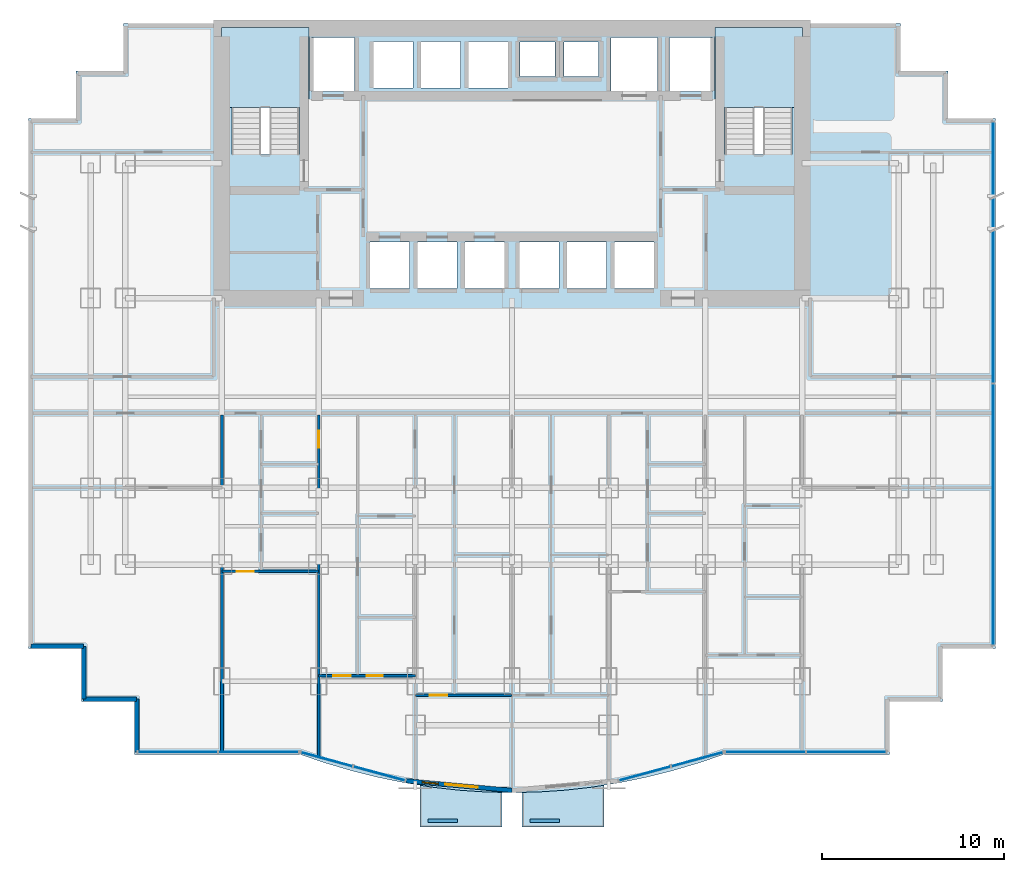
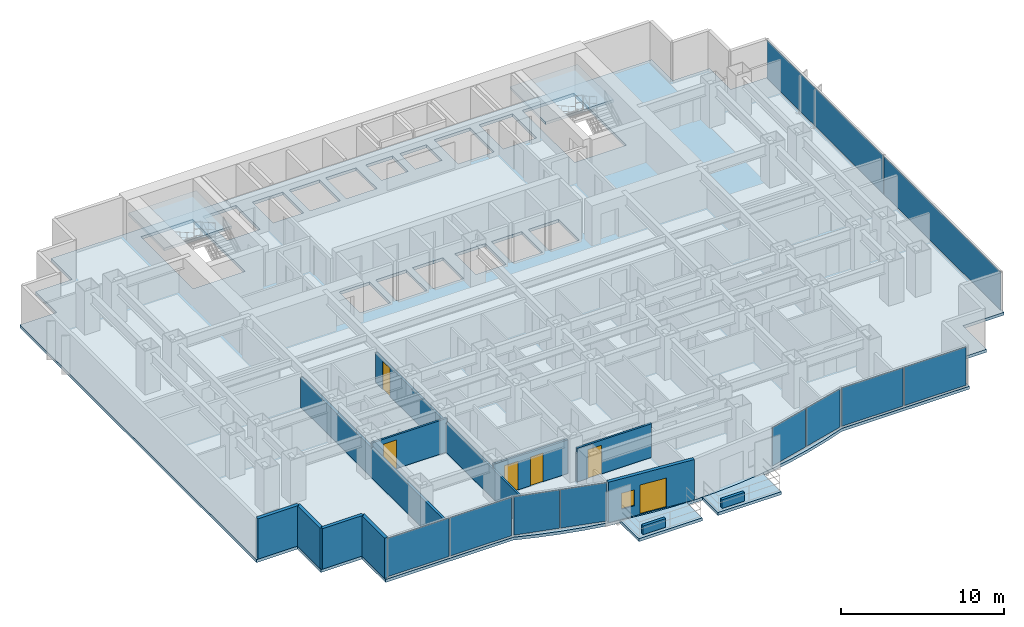
# One storey, part 6 of 12: 12 walls, 10 plates, 6 doors, 5 slabs, 1 window, 7 openings, 7 elements without a shape of their own.
"""IFC4 building model written with IfcOpenShell, lengths in metres."""

from ifc_helpers import new_model, si_unit, direction, frame, frame_2d, origin, origin_2d, place, context, subcontext, project, spatial, polyline, rectangle, outline, extrude, source, transform, mapped, material, layer, layer_set, type_object, element, fill, aggregate, save


model = new_model("IFC4")

# Units and contexts
model_context = context("Model", 3, precision=1e-05, world=origin(), true_north=direction((0.0, 1.0)))
body_context = subcontext(model_context, "Body", "Model", "MODEL_VIEW")
ifc_project = project(units=[si_unit("LENGTHUNIT", "METRE"), si_unit("AREAUNIT", "SQUARE_METRE"), si_unit("VOLUMEUNIT", "CUBIC_METRE"), si_unit("PLANEANGLEUNIT", "RADIAN"), si_unit("MASSUNIT", "GRAM", prefix="KILO")], contexts=[model_context])

# Site, building, storey
site_placement = place(None, origin())
site = spatial("IfcSite", under=ifc_project, at=site_placement, CompositionType="ELEMENT")
building_placement = place(site_placement, origin())
building = spatial("IfcBuilding", under=site, at=building_placement, Name="Qianlan Lanfeng Residences", CompositionType="ELEMENT")
storey_placement = place(building_placement, frame((0.0, 0.0, 67.10009765625)))
storey = spatial("IfcBuildingStorey", under=building, at=storey_placement, Name="L18", CompositionType="ELEMENT", Elevation=67.10009765625)

# Slabs
ifc_material_1 = material(Name="Concrete C42", Category="concrete")
ifc_layer_1 = layer(ifc_material_1, 0.219970703125)
ifc_layer_set_1 = layer_set([ifc_layer_1], Name="Concrete C42")
slab_type_1 = type_object("IfcSlabType", Name="S-BAL-220", PredefinedType="FLOOR", material=ifc_layer_set_1)
slab_1_placement = place(storey_placement, frame((0.0, 0.0, -0.22021484375)))
element("IfcSlab", 1, at=slab_1_placement, inside=storey, type_object=slab_type_1, Name="L18 Planted Tree Balcony Slab SB-W", PredefinedType="FLOOR", context=body_context, shape_type="SweptSolid", body=[
    extrude(outline(polyline([(25.949951171875, -1.887939453125), (25.0439453125, -1.866943359375), (23.5869140625, -1.76904296875), (22.131103515625, -1.60498046875), (21.449951171875, -1.4970703125), (21.449951171875, -3.800048828125), (25.949951171875, -3.800048828125), (25.949951171875, -1.887939453125)])), origin(), (0.0, 0.0, 1.0), 0.22021484375),
])
slab_2_placement = place(storey_placement, frame((0.0, 0.0, -0.22021484375)))
element("IfcSlab", 2, at=slab_2_placement, inside=storey, type_object=slab_type_1, Name="L18 Planted Tree Balcony Slab SB-E", PredefinedType="FLOOR", context=body_context, shape_type="SweptSolid", body=[
    extrude(outline(polyline([(31.550048828125, -1.4970703125), (30.868896484375, -1.60498046875), (29.412109375, -1.76904296875), (27.9560546875, -1.866943359375), (27.050048828125, -1.887939453125), (27.050048828125, -3.800048828125), (31.550048828125, -3.800048828125), (31.550048828125, -1.4970703125)])), origin(), (0.0, 0.0, 1.0), 0.22021484375),
])
ifc_layer_2 = layer(ifc_material_1, 0.219970703125)
ifc_layer_set_2 = layer_set([ifc_layer_2], Name="Concrete C42")
slab_type_2 = type_object("IfcSlabType", Name="S-FL-220", PredefinedType="FLOOR", material=ifc_layer_set_2)
slab_3_placement = place(storey_placement, frame((0.0, 0.0, -0.22021484375)))
element("IfcSlab", 3, at=slab_3_placement, inside=storey, type_object=slab_type_2, Name="L18 Structural Floor Slab", PredefinedType="FLOOR", context=body_context, shape_type="SweptSolid", body=[
    extrude(outline(polyline([(0.0, 6.0), (2.89990234375, 6.0), (2.89990234375, 3.10009765625), (5.800048828125, 3.10009765625), (5.800048828125, 0.199951171875), (14.85009765625, 0.199951171875), (16.305908203125, -0.2919921875), (17.761962890625, -0.718994140625), (19.218994140625, -1.080078125), (20.675048828125, -1.375), (22.131103515625, -1.60498046875), (23.5869140625, -1.76904296875), (25.0439453125, -1.866943359375), (26.5, -1.89990234375), (27.9560546875, -1.866943359375), (29.412109375, -1.76904296875), (30.868896484375, -1.60498046875), (32.324951171875, -1.375), (33.781005859375, -1.080078125), (35.237060546875, -0.718994140625), (36.694091796875, -0.2919921875), (38.14990234375, 0.199951171875), (47.199951171875, 0.199951171875), (47.199951171875, 3.10009765625), (50.10009765625, 3.10009765625), (50.10009765625, 6.0), (53.0, 6.0), (53.0, 35.050048828125), (50.39990234375, 35.050048828125), (50.39990234375, 37.64990234375), (47.800048828125, 37.64990234375), (47.800048828125, 40.25), (5.199951171875, 40.25), (5.199951171875, 37.64990234375), (2.60009765625, 37.64990234375), (2.60009765625, 35.050048828125), (0.0, 35.050048828125), (0.0, 6.0)]), holes=[polyline([(11.139892578125, 33.080078125), (11.139892578125, 39.5), (14.820068359375, 39.5), (14.820068359375, 33.080078125), (11.139892578125, 33.080078125)]), polyline([(38.179931640625, 33.080078125), (38.179931640625, 39.5), (41.860107421875, 39.5), (41.860107421875, 33.080078125), (38.179931640625, 33.080078125)]), polyline([(15.52001953125, 36.52001953125), (15.52001953125, 39.47998046875), (17.8798828125, 39.47998046875), (17.8798828125, 36.52001953125), (15.52001953125, 36.52001953125)]), polyline([(35.1201171875, 36.52001953125), (35.1201171875, 39.47998046875), (37.47998046875, 39.47998046875), (37.47998046875, 36.52001953125), (35.1201171875, 36.52001953125)]), polyline([(31.919921875, 36.52001953125), (31.919921875, 39.47998046875), (34.47998046875, 39.47998046875), (34.47998046875, 36.52001953125), (31.919921875, 36.52001953125)]), polyline([(18.719970703125, 25.719970703125), (18.719970703125, 28.280029296875), (20.8798828125, 28.280029296875), (20.8798828125, 25.719970703125), (18.719970703125, 25.719970703125)]), polyline([(21.320068359375, 25.719970703125), (21.320068359375, 28.280029296875), (23.47998046875, 28.280029296875), (23.47998046875, 25.719970703125), (21.320068359375, 25.719970703125)]), polyline([(23.919921875, 25.719970703125), (23.919921875, 28.280029296875), (26.080078125, 28.280029296875), (26.080078125, 25.719970703125), (23.919921875, 25.719970703125)]), polyline([(26.919921875, 25.719970703125), (26.919921875, 28.280029296875), (29.080078125, 28.280029296875), (29.080078125, 25.719970703125), (26.919921875, 25.719970703125)]), polyline([(29.52001953125, 25.719970703125), (29.52001953125, 28.280029296875), (31.679931640625, 28.280029296875), (31.679931640625, 25.719970703125), (29.52001953125, 25.719970703125)]), polyline([(32.1201171875, 25.719970703125), (32.1201171875, 28.280029296875), (34.280029296875, 28.280029296875), (34.280029296875, 25.719970703125), (32.1201171875, 25.719970703125)]), polyline([(18.919921875, 36.719970703125), (18.919921875, 39.280029296875), (21.080078125, 39.280029296875), (21.080078125, 36.719970703125), (18.919921875, 36.719970703125)]), polyline([(21.52001953125, 36.719970703125), (21.52001953125, 39.280029296875), (23.679931640625, 39.280029296875), (23.679931640625, 36.719970703125), (21.52001953125, 36.719970703125)]), polyline([(24.1201171875, 36.719970703125), (24.1201171875, 39.280029296875), (26.280029296875, 39.280029296875), (26.280029296875, 36.719970703125), (24.1201171875, 36.719970703125)]), polyline([(26.949951171875, 37.35009765625), (26.949951171875, 39.25), (28.85009765625, 39.25), (28.85009765625, 37.35009765625), (26.949951171875, 37.35009765625)]), polyline([(29.35009765625, 37.35009765625), (29.35009765625, 39.25), (31.25, 39.25), (31.25, 37.35009765625), (29.35009765625, 37.35009765625)])]), origin(), (0.0, 0.0, 1.0), 0.22021484375),
])

# Stair, slab
stair_type = type_object("IfcStairType", Name="STR-MAIN", PredefinedType="HALF_TURN_STAIR", material=ifc_material_1)
stair_1_placement = place(storey_placement, origin())
stair_1 = element("IfcStair", 4, at=stair_1_placement, inside=storey, type_object=stair_type, Name="L18 Exit Stair ST-1", PredefinedType="HALF_TURN_STAIR")
ifc_layer_3 = layer(ifc_material_1, 0.179931640625)
ifc_layer_set_3 = layer_set([ifc_layer_3], Name="Concrete C42")
slab_type_3 = type_object("IfcSlabType", Name="S-LND-180", PredefinedType="LANDING", material=ifc_layer_set_3)
slab_4_placement = place(storey_placement, frame((0.0, 0.0, 1.449951171875)))
slab_4 = element("IfcSlab", 5, at=slab_4_placement, type_object=slab_type_3, Name="ST-1 landing 1", PredefinedType="LANDING", context=body_context, shape_type="SweptSolid", body=[
    extrude(outline(polyline([(10.580078125, 35.659912109375), (15.3798828125, 35.659912109375), (15.3798828125, 40.050048828125), (10.580078125, 40.050048828125), (10.580078125, 35.659912109375)])), origin(), (0.0, 0.0, 1.0), 0.199951171875),
])
aggregate(stair_1, [slab_4])

stair_2_placement = place(storey_placement, origin())
stair_2 = element("IfcStair", 6, at=stair_2_placement, inside=storey, type_object=stair_type, Name="L18 Exit Stair ST-2", PredefinedType="HALF_TURN_STAIR")
slab_5_placement = place(storey_placement, frame((0.0, 0.0, 1.449951171875)))
slab_5 = element("IfcSlab", 7, at=slab_5_placement, type_object=slab_type_3, Name="ST-2 landing 1", PredefinedType="LANDING", context=body_context, shape_type="SweptSolid", body=[
    extrude(outline(polyline([(37.6201171875, 35.659912109375), (42.419921875, 35.659912109375), (42.419921875, 40.050048828125), (37.6201171875, 40.050048828125), (37.6201171875, 35.659912109375)])), origin(), (0.0, 0.0, 1.0), 0.199951171875),
])
aggregate(stair_2, [slab_5])

# Curtain wall, plates
ifc_material_2 = material(Name="Anodised Bronze Aluminium 6063-T6", Category="aluminium")
ifc_layer_4 = layer(ifc_material_2, 0.219970703125)
ifc_layer_set_4 = layer_set([ifc_layer_4], Name="Anodised Bronze Aluminium 6063-T6")
curtain_wall_type = type_object("IfcCurtainWallType", Name="CW-02", PredefinedType="NOTDEFINED", material=ifc_layer_set_4)
curtain_wall_1_placement = place(storey_placement, origin())
curtain_wall_1 = element("IfcCurtainWall", 8, at=curtain_wall_1_placement, inside=storey, type_object=curtain_wall_type, Name="L18 Unitised Curtain Wall CWR-L18-01 (CW-02)", PredefinedType="NOTDEFINED")
ifc_material_3 = material(Name="Clear Low-E Insulated Glass", Category="glass")
ifc_layer_5 = layer(ifc_material_3, 0.035888671875)
ifc_layer_set_5 = layer_set([ifc_layer_5], Name="Clear Low-E Insulated Glass")
plate_type_1 = type_object("IfcPlateType", Name="PNL-GLZ-CLR", PredefinedType="CURTAIN_PANEL", material=ifc_layer_set_5)
shared_shape_1 = source(origin(), body_context, "Body", "SweptSolid", [
    extrude(rectangle(XDim=4.35693359375, YDim=0.035888671875, at=origin_2d()), origin(), (0.0, 0.0, 1.0), 2.8720703125),
])
plate_1_placement = place(storey_placement, frame((8.177490234375, 0.320068359375, 0.078857421875), z_axis=(0.0, 0.0, 1.0), x_axis=(1.0, 0.0, 0.0)))
plate_1 = element("IfcPlate", 9, at=plate_1_placement, type_object=plate_type_1, Name="CWR-L18-01 Curtain Panel 1", PredefinedType="CURTAIN_PANEL", context=body_context, shape_type="MappedRepresentation", body=[
    mapped(shared_shape_1, transform((0.0, 0.0, 0.0), scale=1.0)),
])
plate_2_placement = place(storey_placement, frame((12.612548828125, 0.320068359375, 0.078857421875), z_axis=(0.0, 0.0, 1.0), x_axis=(1.0, 0.0, 0.0)))
plate_2 = element("IfcPlate", 10, at=plate_2_placement, type_object=plate_type_1, Name="CWR-L18-01 Curtain Panel 2", PredefinedType="CURTAIN_PANEL", context=body_context, shape_type="MappedRepresentation", body=[
    mapped(shared_shape_1, transform((0.0, 0.0, 0.0), scale=1.0)),
])
aggregate(curtain_wall_1, [plate_1, plate_2])

# Curtain wall, plate
curtain_wall_2_placement = place(storey_placement, origin())
curtain_wall_2 = element("IfcCurtainWall", 11, at=curtain_wall_2_placement, inside=storey, type_object=curtain_wall_type, Name="L18 Unitised Curtain Wall CWR-L18-04 (CW-02)", PredefinedType="NOTDEFINED")
plate_3_placement = place(storey_placement, frame((40.387451171875, 0.320068359375, 0.078857421875), z_axis=(0.0, 0.0, 1.0), x_axis=(1.0, 0.0, 0.0)))
plate_3 = element("IfcPlate", 12, at=plate_3_placement, type_object=plate_type_1, Name="CWR-L18-04 Curtain Panel 1", PredefinedType="CURTAIN_PANEL", context=body_context, shape_type="MappedRepresentation", body=[
    mapped(shared_shape_1, transform((0.0, 0.0, 0.0), scale=1.0)),
])

curtain_wall_3_placement = place(storey_placement, origin())
curtain_wall_3 = element("IfcCurtainWall", 13, at=curtain_wall_3_placement, inside=storey, type_object=curtain_wall_type, Name="L18 Unitised Curtain Wall CWR-L18-02 (CW-02)", PredefinedType="NOTDEFINED")
shared_shape_2 = source(origin(), body_context, "Body", "SweptSolid", [
    extrude(rectangle(XDim=2.89990234375, YDim=0.035888671875, at=origin_2d()), origin(), (0.0, 0.0, 1.0), 2.8720703125),
])
plate_4_placement = place(storey_placement, frame((16.345703125, -0.07958984375, 0.078857421875), z_axis=(0.0, 0.0, 1.0), x_axis=(0.9652627173, -0.261281240412, 0.0)))
plate_4 = element("IfcPlate", 14, at=plate_4_placement, type_object=plate_type_1, Name="CWR-L18-02 Curtain Panel 1", PredefinedType="CURTAIN_PANEL", context=body_context, shape_type="MappedRepresentation", body=[
    mapped(shared_shape_2, transform((0.0, 0.0, 0.0), scale=1.0)),
])

# Curtain wall, plates
curtain_wall_4_placement = place(storey_placement, origin())
curtain_wall_4 = element("IfcCurtainWall", 15, at=curtain_wall_4_placement, inside=storey, type_object=curtain_wall_type, Name="L18 Unitised Curtain Wall CWR-L18-03 (CW-02)", PredefinedType="NOTDEFINED")
plate_5_placement = place(storey_placement, frame((33.77978515625, -0.857421875, 0.078857421875), z_axis=(0.0, 0.0, 1.0), x_axis=(0.9652627173, 0.261281240412, 0.0)))
plate_5 = element("IfcPlate", 16, at=plate_5_placement, type_object=plate_type_1, Name="CWR-L18-03 Curtain Panel 1", PredefinedType="CURTAIN_PANEL", context=body_context, shape_type="MappedRepresentation", body=[
    mapped(shared_shape_2, transform((0.0, 0.0, 0.0), scale=1.0)),
])
plate_6_placement = place(storey_placement, frame((36.654296875, -0.07958984375, 0.078857421875), z_axis=(0.0, 0.0, 1.0), x_axis=(0.9652627173, 0.261281240412, 0.0)))
plate_6 = element("IfcPlate", 17, at=plate_6_placement, type_object=plate_type_1, Name="CWR-L18-03 Curtain Panel 2", PredefinedType="CURTAIN_PANEL", context=body_context, shape_type="MappedRepresentation", body=[
    mapped(shared_shape_2, transform((0.0, 0.0, 0.0), scale=1.0)),
])
aggregate(curtain_wall_4, [plate_5, plate_6])

# Plate
ifc_material_4 = material(Name="Perforated Champagne Gold Aluminium Panel", Category="aluminium")
ifc_layer_6 = layer(ifc_material_4, 0.0400390625)
ifc_layer_set_6 = layer_set([ifc_layer_6], Name="Perforated Champagne Gold Aluminium Panel")
plate_type_2 = type_object("IfcPlateType", Name="PNL-PRF-GLD", PredefinedType="CURTAIN_PANEL", material=ifc_layer_set_6)
shared_shape_3 = source(origin(), body_context, "Body", "SweptSolid", [
    extrude(rectangle(XDim=2.89990234375, YDim=0.0400390625, at=origin_2d()), origin(), (0.0, 0.0, 1.0), 2.8720703125),
])
plate_7_placement = place(storey_placement, frame((19.22021484375, -0.857421875, 0.078857421875), z_axis=(0.0, 0.0, 1.0), x_axis=(0.9652627173, -0.261281240412, 0.0)))
plate_7 = element("IfcPlate", 18, at=plate_7_placement, type_object=plate_type_2, Name="CWR-L18-02 Curtain Panel 2", PredefinedType="CURTAIN_PANEL", context=body_context, shape_type="MappedRepresentation", body=[
    mapped(shared_shape_3, transform((0.0, 0.0, 0.0), scale=1.0)),
])

aggregate(curtain_wall_3, [plate_4, plate_7])

shared_shape_4 = source(origin(), body_context, "Body", "SweptSolid", [
    extrude(rectangle(XDim=4.35693359375, YDim=0.0400390625, at=origin_2d()), origin(), (0.0, 0.0, 1.0), 2.8720703125),
])
plate_8_placement = place(storey_placement, frame((44.822509765625, 0.320068359375, 0.078857421875), z_axis=(0.0, 0.0, 1.0), x_axis=(1.0, 0.0, 0.0)))
plate_8 = element("IfcPlate", 19, at=plate_8_placement, type_object=plate_type_2, Name="CWR-L18-04 Curtain Panel 2", PredefinedType="CURTAIN_PANEL", context=body_context, shape_type="MappedRepresentation", body=[
    mapped(shared_shape_4, transform((0.0, 0.0, 0.0), scale=1.0)),
])

aggregate(curtain_wall_2, [plate_3, plate_8])

# Curtain wall, plates
curtain_wall_5_placement = place(storey_placement, origin())
curtain_wall_5 = element("IfcCurtainWall", 20, at=curtain_wall_5_placement, inside=storey, type_object=curtain_wall_type, Name="L18 Unitised Curtain Wall CWR-L18-05 (CW-02)", PredefinedType="NOTDEFINED")
shared_shape_5 = source(origin(), body_context, "Body", "SweptSolid", [
    extrude(rectangle(XDim=14.287109375, YDim=0.035888671875, at=origin_2d()), origin(), (0.0, 0.0, 1.0), 2.8720703125),
])
plate_9_placement = place(storey_placement, frame((52.8798828125, 13.342529296875, 0.078857421875), z_axis=(0.0, 0.0, 1.0), x_axis=(0.0, 1.0, 0.0)))
plate_9 = element("IfcPlate", 21, at=plate_9_placement, type_object=plate_type_1, Name="CWR-L18-05 Curtain Panel 1", PredefinedType="CURTAIN_PANEL", context=body_context, shape_type="MappedRepresentation", body=[
    mapped(shared_shape_5, transform((0.0, 0.0, 0.0), scale=1.0)),
])
plate_10_placement = place(storey_placement, frame((52.8798828125, 27.70751953125, 0.078857421875), z_axis=(0.0, 0.0, 1.0), x_axis=(0.0, 1.0, 0.0)))
plate_10 = element("IfcPlate", 22, at=plate_10_placement, type_object=plate_type_1, Name="CWR-L18-05 Curtain Panel 2", PredefinedType="CURTAIN_PANEL", context=body_context, shape_type="MappedRepresentation", body=[
    mapped(shared_shape_5, transform((0.0, 0.0, 0.0), scale=1.0)),
])
aggregate(curtain_wall_5, [plate_9, plate_10])

# Walls
ifc_layer_7 = layer(ifc_material_1, 0.239990234375)
ifc_layer_set_7 = layer_set([ifc_layer_7], Name="Concrete C42")
wall_type_1 = type_object("IfcWallType", Name="EW-240", PredefinedType="SOLIDWALL", material=ifc_layer_set_7)
wall_1_placement = place(storey_placement, frame((0.1201171875, 6.1201171875, 0.0), z_axis=(0.0, 0.0, 1.0), x_axis=(1.0, 0.0, 0.0)))
element("IfcWall", 23, at=wall_1_placement, inside=storey, type_object=wall_type_1, Name="L18 Exterior Facade Spandrel Wall 1", PredefinedType="SOLIDWALL", context=body_context, shape_type="SweptSolid", body=[
    extrude(rectangle(XDim=2.89990234375, YDim=0.239990234375, at=frame_2d((1.449951171875, 0.0))), origin(), (0.0, 0.0, 1.0), 3.02978515625),
])
wall_2_placement = place(storey_placement, frame((3.02001953125, 6.1201171875, 0.0), z_axis=(0.0, 0.0, 1.0), x_axis=(0.0, -1.0, 0.0)))
element("IfcWall", 24, at=wall_2_placement, inside=storey, type_object=wall_type_1, Name="L18 Exterior Facade Spandrel Wall 2", PredefinedType="SOLIDWALL", context=body_context, shape_type="SweptSolid", body=[
    extrude(rectangle(XDim=2.900146484375, YDim=0.239990234375, at=frame_2d((1.4501953125, 0.0))), origin(), (0.0, 0.0, 1.0), 3.02978515625),
])
for number, where, z_axis, x_axis, name in (
    (25, (3.02001953125, 3.219970703125, 0.0), (0.0, 0.0, 1.0), (1.0, 0.0, 0.0), "L18 Exterior Facade Spandrel Wall 3"),
    (26, (5.919921875, 3.219970703125, 0.0), (0.0, 0.0, 1.0), (0.0, -1.0, 0.0), "L18 Exterior Facade Spandrel Wall 4"),
):
    element("IfcWall", number, at=place(storey_placement, frame(where, z_axis=z_axis, x_axis=x_axis)), inside=storey, type_object=wall_type_1, Name=name, PredefinedType="SOLIDWALL", context=body_context, shape_type="SweptSolid", body=[
        extrude(rectangle(XDim=2.89990234375, YDim=0.239990234375, at=frame_2d((1.449951171875, 0.0))), origin(), (0.0, 0.0, 1.0), 3.02978515625),
    ])

# Wall, openings, door, window
wall_3_placement = place(storey_placement, frame((20.696044921875, -1.257080078125, 0.0), z_axis=(0.0, 0.0, 1.0), x_axis=(0.995965344947, -0.089738685436, 0.0)))
wall_3 = element("IfcWall", 27, at=wall_3_placement, inside=storey, type_object=wall_type_1, Name="L18 Terrace/Balcony Access Exterior Wall 5", PredefinedType="SOLIDWALL", context=body_context, shape_type="SweptSolid", body=[
    extrude(rectangle(XDim=5.827392578125, YDim=0.239990234375, at=frame_2d((2.91357421875, 0.0))), origin(), (0.0, 0.0, 1.0), 3.02978515625),
])
opening_1_placement = place(wall_3_placement, frame((2.14794921875, 0.0, 0.0)))
opening_1 = element("IfcOpeningElement", 28, at=opening_1_placement, cuts=wall_3, Name="Opening L18-D-SB-W", PredefinedType="OPENING", context=body_context, shape_type="SweptSolid", body=[
    extrude(rectangle(XDim=1.800048828125, YDim=2.199951171875, at=frame_2d((0.89990234375, 1.10009765625))), frame((0.0, 0.1298828125, 0.0), z_axis=(0.0, -1.0, 0.0), x_axis=(1.0, 0.0, 0.0)), (0.0, 0.0, 1.0), 0.260009765625),
])
opening_2_placement = place(wall_3_placement, frame((0.8779296875, 0.0, 0.75)))
opening_2 = element("IfcOpeningElement", 29, at=opening_2_placement, cuts=wall_3, Name="Opening W-04", PredefinedType="OPENING", context=body_context, shape_type="SweptSolid", body=[
    extrude(rectangle(XDim=0.89990234375, YDim=1.199951171875, at=frame_2d((0.449951171875, 0.60009765625))), frame((0.0, 0.1298828125, 0.0), z_axis=(0.0, -1.0, 0.0), x_axis=(1.0, 0.0, 0.0)), (0.0, 0.0, 1.0), 0.260009765625),
])
ifc_material_5 = material(Name="Anodised Bronze Aluminium Framed Glass", Category="aluminium")
door_type_1 = type_object("IfcDoorType", Name="DT-BAL1", OperationType="NOTDEFINED", PredefinedType="DOOR", material=ifc_material_5)
door_1_placement = place(opening_1_placement, frame((1.800048828125, 0.0, 0.0), z_axis=(0.0, 0.0, 1.0), x_axis=(-1.0, 0.0, 0.0)))
door_1 = element("IfcDoor", 30, at=door_1_placement, inside=storey, type_object=door_type_1, Name="L18 Exterior Access Door SB-W", OperationType="DOUBLE_DOOR_SLIDING", OverallHeight=2.199951171875, OverallWidth=1.800048828125, PredefinedType="DOOR", context=body_context, shape_type="SweptSolid", body=[
    extrude(rectangle(XDim=1.800048828125, YDim=2.199951171875, at=frame_2d((0.89990234375, 1.10009765625))), frame((0.0, 0.02490234375, 0.0), z_axis=(0.0, -1.0, 0.0), x_axis=(1.0, 0.0, 0.0)), (0.0, 0.0, 1.0), 0.050048828125),
])
fill(opening_1, door_1)
ifc_material_6 = material(Name="Anodised Bronze Aluminium Framed Double Glazing", Category="aluminium")
window_type = type_object("IfcWindowType", Name="W-04", PartitioningType="SINGLE_PANEL", PredefinedType="WINDOW", material=ifc_material_6)
window_placement = place(opening_2_placement, origin())
window = element("IfcWindow", 31, at=window_placement, inside=storey, type_object=window_type, Name="L18 Exterior Window W-03", OverallHeight=1.199951171875, OverallWidth=0.89990234375, PartitioningType="SINGLE_PANEL", PredefinedType="WINDOW", context=body_context, shape_type="SweptSolid", body=[
    extrude(rectangle(XDim=0.89990234375, YDim=1.199951171875, at=frame_2d((0.449951171875, 0.60009765625))), frame((0.0, 0.030029296875, 0.0), z_axis=(0.0, -1.0, 0.0), x_axis=(1.0, 0.0, 0.0)), (0.0, 0.0, 1.0), 0.06005859375),
])
fill(opening_2, window)

# Walls
ifc_layer_8 = layer(ifc_material_1, 0.199951171875)
ifc_layer_set_8 = layer_set([ifc_layer_8], Name="Concrete C42")
wall_type_2 = type_object("IfcWallType", Name="PL-TREE-200", PredefinedType="PARAPET", material=ifc_layer_set_8)
for number, where, z_axis, x_axis, name in (
    (32, (21.89990234375, -3.449951171875, 0.0), (0.0, 0.0, 1.0), (1.0, 0.0, 0.0), "L18 Balcony Tree Planter Curb SB-W"),
    (33, (27.5, -3.449951171875, 0.0), (0.0, 0.0, 1.0), (1.0, 0.0, 0.0), "L18 Balcony Tree Planter Curb SB-E"),
):
    element("IfcWall", number, at=place(storey_placement, frame(where, z_axis=z_axis, x_axis=x_axis)), inside=storey, type_object=wall_type_2, Name=name, PredefinedType="PARAPET", context=body_context, shape_type="SweptSolid", body=[
        extrude(rectangle(XDim=1.60009765625, YDim=0.199951171875, at=frame_2d((0.800048828125, 0.0))), origin(), (0.0, 0.0, 1.0), 0.64990234375),
    ])

# Wall, opening, door
ifc_material_7 = material(Name="Moisture-Resistant Gypsum Partition 135 mm")
ifc_layer_9 = layer(ifc_material_7, 0.135009765625)
ifc_layer_set_9 = layer_set([ifc_layer_9], Name="Moisture-Resistant Gypsum Partition 135 mm")
wall_type_3 = type_object("IfcWallType", Name="PW-135", PredefinedType="PARTITIONING", material=ifc_layer_set_9)
wall_4_placement = place(storey_placement, frame((15.89990234375, 0.076904296875, 0.0), z_axis=(0.0, 0.0, 1.0), x_axis=(0.0, 1.0, 0.0)))
wall_4 = element("IfcWall", 34, at=wall_4_placement, inside=storey, type_object=wall_type_3, Name="L18 U01 Bay Spine Wall 1", PredefinedType="PARTITIONING", context=body_context, shape_type="SweptSolid", body=[
    extrude(rectangle(XDim=18.72314453125, YDim=0.135009765625, at=frame_2d((9.361572265625, 0.0))), origin(), (0.0, 0.0, 1.0), 2.224853515625),
])
opening_3_placement = place(wall_4_placement, frame((16.93798828125, 0.0, 0.0)))
opening_3 = element("IfcOpeningElement", 35, at=opening_3_placement, cuts=wall_4, Name="Opening L18-D15", PredefinedType="OPENING", context=body_context, shape_type="SweptSolid", body=[
    extrude(rectangle(XDim=0.919921875, YDim=2.10498046875, at=frame_2d((0.4599609375, 1.052490234375))), frame((0.0, 0.07763671875, 0.0), z_axis=(0.0, -1.0, 0.0), x_axis=(1.0, 0.0, 0.0)), (0.0, 0.0, 1.0), 0.155029296875),
])
ifc_material_8 = material(Name="Glazed Timber Kitchen/Study Door", Category="wood")
door_type_2 = type_object("IfcDoorType", Name="DT-INT", OperationType="NOTDEFINED", PredefinedType="DOOR", material=ifc_material_8)
door_2_placement = place(opening_3_placement, origin())
door_2 = element("IfcDoor", 36, at=door_2_placement, inside=storey, type_object=door_type_2, Name="L18 U01 Internal Hall Door L18-D15 (DT-INT)", OperationType="SINGLE_SWING_LEFT", OverallHeight=2.10498046875, OverallWidth=0.919921875, PredefinedType="DOOR", context=body_context, shape_type="SweptSolid", body=[
    extrude(rectangle(XDim=0.919921875, YDim=2.10498046875, at=frame_2d((0.4599609375, 1.052490234375))), frame((0.0, 0.02490234375, 0.0), z_axis=(0.0, -1.0, 0.0), x_axis=(1.0, 0.0, 0.0)), (0.0, 0.0, 1.0), 0.050048828125),
])
fill(opening_3, door_2)

wall_5_placement = place(storey_placement, frame((10.60009765625, 10.219970703125, 0.0), z_axis=(0.0, 0.0, 1.0), x_axis=(1.0, 0.0, 0.0)))
wall_5 = element("IfcWall", 37, at=wall_5_placement, inside=storey, type_object=wall_type_3, Name="L18 U01 Living Divider", PredefinedType="PARTITIONING", context=body_context, shape_type="SweptSolid", body=[
    extrude(rectangle(XDim=5.2998046875, YDim=0.135009765625, at=frame_2d((2.64990234375, 0.0))), origin(), (0.0, 0.0, 1.0), 2.52001953125),
])
opening_4_placement = place(wall_5_placement, frame((0.81494140625, 0.0, 0.0)))
opening_4 = element("IfcOpeningElement", 38, at=opening_4_placement, cuts=wall_5, Name="Opening L18-D18", PredefinedType="OPENING", context=body_context, shape_type="SweptSolid", body=[
    extrude(rectangle(XDim=0.919921875, YDim=2.14990234375, at=frame_2d((0.4599609375, 1.074951171875))), frame((0.0, 0.07763671875, 0.0), z_axis=(0.0, -1.0, 0.0), x_axis=(1.0, 0.0, 0.0)), (0.0, 0.0, 1.0), 0.155029296875),
])
door_3_placement = place(opening_4_placement, frame((0.919921875, 0.0, 0.0), z_axis=(0.0, 0.0, 1.0), x_axis=(-1.0, 0.0, 0.0)))
door_3 = element("IfcDoor", 39, at=door_3_placement, inside=storey, type_object=door_type_2, Name="L18 U01 Living Passage Door L18-D18 (DT-INT)", OperationType="SINGLE_SWING_LEFT", OverallHeight=2.14990234375, OverallWidth=0.919921875, PredefinedType="DOOR", context=body_context, shape_type="SweptSolid", body=[
    extrude(rectangle(XDim=0.919921875, YDim=2.14990234375, at=frame_2d((0.4599609375, 1.074951171875))), frame((0.0, 0.02490234375, 0.0), z_axis=(0.0, -1.0, 0.0), x_axis=(1.0, 0.0, 0.0)), (0.0, 0.0, 1.0), 0.050048828125),
])
fill(opening_4, door_3)

# Wall, openings, doors
wall_6_placement = place(storey_placement, frame((15.89990234375, 4.511962890625, 0.0), z_axis=(0.0, 0.0, 1.0), x_axis=(1.0, 0.0, 0.0)))
wall_6 = element("IfcWall", 40, at=wall_6_placement, inside=storey, type_object=wall_type_3, Name="L18 U01 Master Bedroom North Wall", PredefinedType="PARTITIONING", context=body_context, shape_type="SweptSolid", body=[
    extrude(rectangle(XDim=5.300048828125, YDim=0.135009765625, at=frame_2d((2.64990234375, 0.0))), origin(), (0.0, 0.0, 1.0), 2.52001953125),
])
opening_5_placement = place(wall_6_placement, frame((0.800048828125, 0.0, 0.0)))
opening_5 = element("IfcOpeningElement", 41, at=opening_5_placement, cuts=wall_6, Name="Opening L18-D22", PredefinedType="OPENING", context=body_context, shape_type="SweptSolid", body=[
    extrude(rectangle(XDim=0.949951171875, YDim=2.14990234375, at=frame_2d((0.47509765625, 1.074951171875))), frame((0.0, 0.07763671875, 0.0), z_axis=(0.0, -1.0, 0.0), x_axis=(1.0, 0.0, 0.0)), (0.0, 0.0, 1.0), 0.155029296875),
])
opening_6_placement = place(wall_6_placement, frame((2.625, 0.0, 0.0)))
opening_6 = element("IfcOpeningElement", 42, at=opening_6_placement, cuts=wall_6, Name="Opening L18-D23", PredefinedType="OPENING", context=body_context, shape_type="SweptSolid", body=[
    extrude(rectangle(XDim=0.89990234375, YDim=2.14990234375, at=frame_2d((0.449951171875, 1.074951171875))), frame((0.0, 0.07763671875, 0.0), z_axis=(0.0, -1.0, 0.0), x_axis=(1.0, 0.0, 0.0)), (0.0, 0.0, 1.0), 0.155029296875),
])
ifc_material_9 = material(Name="Painted Solid-Core Timber Leaf", Category="wood")
door_type_3 = type_object("IfcDoorType", Name="DT-BED", OperationType="NOTDEFINED", PredefinedType="DOOR", material=ifc_material_9)
door_4_placement = place(opening_5_placement, origin())
door_4 = element("IfcDoor", 43, at=door_4_placement, inside=storey, type_object=door_type_3, Name="L18 U01 Master Bedroom Door L18-D22 (DT-BED)", OperationType="SINGLE_SWING_RIGHT", OverallHeight=2.14990234375, OverallWidth=0.949951171875, PredefinedType="DOOR", context=body_context, shape_type="SweptSolid", body=[
    extrude(rectangle(XDim=0.949951171875, YDim=2.14990234375, at=frame_2d((0.47509765625, 1.074951171875))), frame((0.0, 0.02490234375, 0.0), z_axis=(0.0, -1.0, 0.0), x_axis=(1.0, 0.0, 0.0)), (0.0, 0.0, 1.0), 0.050048828125),
])
fill(opening_5, door_4)
ifc_material_10 = material(Name="Moisture-Resistant Timber Leaf", Category="wood")
door_type_4 = type_object("IfcDoorType", Name="DT-WC", OperationType="NOTDEFINED", PredefinedType="DOOR", material=ifc_material_10)
door_5_placement = place(opening_6_placement, origin())
door_5 = element("IfcDoor", 44, at=door_5_placement, inside=storey, type_object=door_type_4, Name="L18 U01 En-Suite Bathroom Door L18-D23 (DT-WC)", OperationType="SINGLE_SWING_RIGHT", OverallHeight=2.14990234375, OverallWidth=0.89990234375, PredefinedType="DOOR", context=body_context, shape_type="SweptSolid", body=[
    extrude(rectangle(XDim=0.89990234375, YDim=2.14990234375, at=frame_2d((0.449951171875, 1.074951171875))), frame((0.0, 0.02490234375, 0.0), z_axis=(0.0, -1.0, 0.0), x_axis=(1.0, 0.0, 0.0)), (0.0, 0.0, 1.0), 0.050048828125),
])
fill(opening_6, door_5)

# Wall, opening, door
wall_7_placement = place(storey_placement, frame((21.199951171875, 3.43408203125, 0.0), z_axis=(0.0, 0.0, 1.0), x_axis=(1.0, 0.0, 0.0)))
wall_7 = element("IfcWall", 45, at=wall_7_placement, inside=storey, type_object=wall_type_3, Name="L18 U01 Bedroom 2 North Wall", PredefinedType="PARTITIONING", context=body_context, shape_type="SweptSolid", body=[
    extrude(rectangle(XDim=5.300048828125, YDim=0.135009765625, at=frame_2d((2.64990234375, 0.0))), origin(), (0.0, 0.0, 1.0), 2.52001953125),
])
opening_7_placement = place(wall_7_placement, frame((0.800048828125, 0.0, 0.0)))
opening_7 = element("IfcOpeningElement", 46, at=opening_7_placement, cuts=wall_7, Name="Opening L18-D26", PredefinedType="OPENING", context=body_context, shape_type="SweptSolid", body=[
    extrude(rectangle(XDim=0.949951171875, YDim=2.14990234375, at=frame_2d((0.47509765625, 1.074951171875))), frame((0.0, 0.07763671875, 0.0), z_axis=(0.0, -1.0, 0.0), x_axis=(1.0, 0.0, 0.0)), (0.0, 0.0, 1.0), 0.155029296875),
])
door_6_placement = place(opening_7_placement, frame((0.949951171875, 0.0, 0.0), z_axis=(0.0, 0.0, 1.0), x_axis=(-1.0, 0.0, 0.0)))
door_6 = element("IfcDoor", 47, at=door_6_placement, inside=storey, type_object=door_type_3, Name="L18 U01 Bedroom 2 Door L18-D26 (DT-BED)", OperationType="SINGLE_SWING_LEFT", OverallHeight=2.14990234375, OverallWidth=0.949951171875, PredefinedType="DOOR", context=body_context, shape_type="SweptSolid", body=[
    extrude(rectangle(XDim=0.949951171875, YDim=2.14990234375, at=frame_2d((0.47509765625, 1.074951171875))), frame((0.0, 0.02490234375, 0.0), z_axis=(0.0, -1.0, 0.0), x_axis=(1.0, 0.0, 0.0)), (0.0, 0.0, 1.0), 0.050048828125),
])
fill(opening_7, door_6)

# Wall
ifc_material_11 = material(Name="Double-Layer Acoustic Gypsum Stud Wall 180 mm")
ifc_layer_10 = layer(ifc_material_11, 0.179931640625)
ifc_layer_set_10 = layer_set([ifc_layer_10], Name="Double-Layer Acoustic Gypsum Stud Wall 180 mm")
wall_type_4 = type_object("IfcWallType", Name="PW-180", PredefinedType="PARTITIONING", material=ifc_layer_set_10)
wall_8_placement = place(storey_placement, frame((10.60009765625, 0.419921875, 0.0), z_axis=(0.0, 0.0, 1.0), x_axis=(0.0, 1.0, 0.0)))
element("IfcWall", 48, at=wall_8_placement, inside=storey, type_object=wall_type_4, Name="L18 Wing Boundary Party Wall W0", PredefinedType="PARTITIONING", context=body_context, shape_type="SweptSolid", body=[
    extrude(rectangle(XDim=18.380126953125, YDim=0.179931640625, at=frame_2d((9.18994140625, 0.0))), origin(), (0.0, 0.0, 1.0), 2.224853515625),
])

save(model, "model.ifc")
